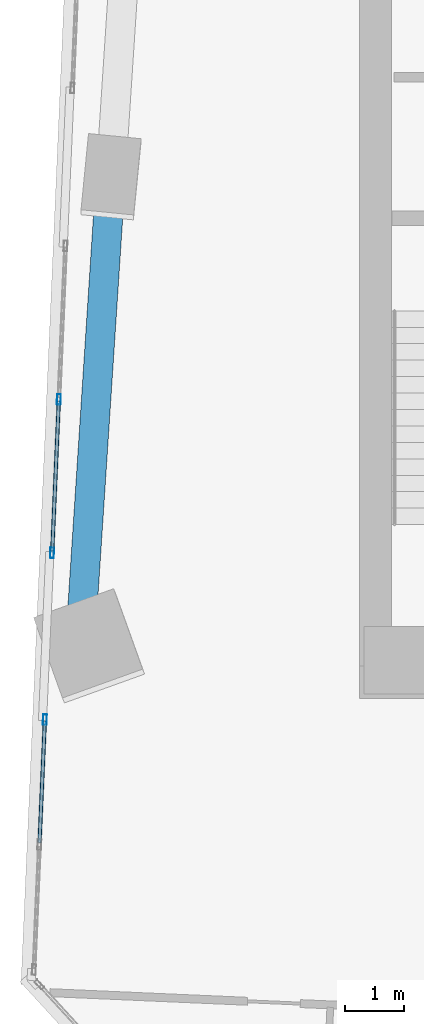
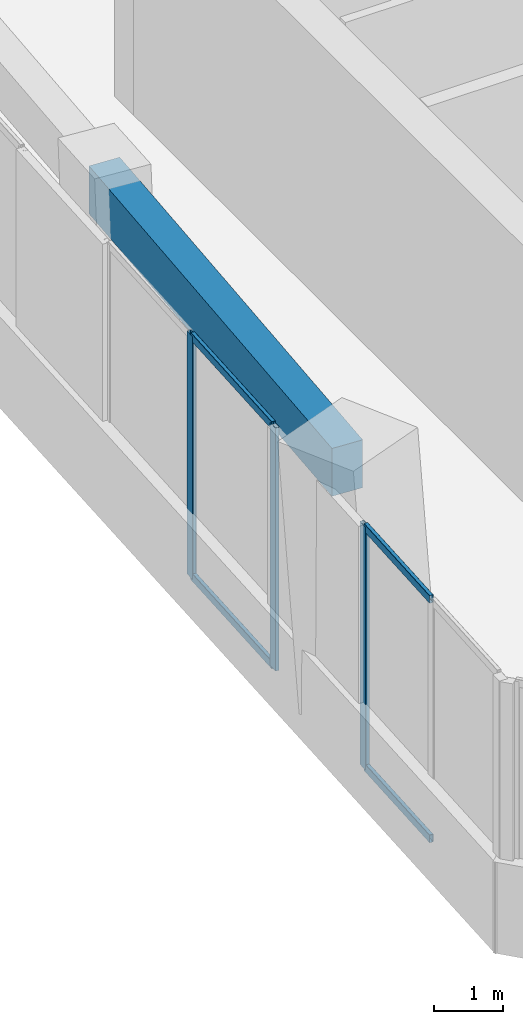
# One storey, part 4 of 27: 7 members, 1 beam, 2 elements without a shape of their own.
"""IFC4 building model written with IfcOpenShell, lengths in metres."""

from ifc_helpers import new_model, si_unit, direction, frame, origin, origin_2d, place, context, subcontext, project, spatial, rectangle, hollow_rectangle, extrude, source, transform, mapped, material, material_profile, profile_set, type_object, element, aggregate, save


model = new_model("IFC4")

# Units and contexts
model_context = context("Model", 3, precision=1e-05, world=origin(), true_north=direction((0.0, 1.0)))
body_context = subcontext(model_context, "Body", "Model", "MODEL_VIEW")
ifc_project = project(units=[si_unit("LENGTHUNIT", "METRE"), si_unit("AREAUNIT", "SQUARE_METRE"), si_unit("VOLUMEUNIT", "CUBIC_METRE"), si_unit("PLANEANGLEUNIT", "RADIAN"), si_unit("MASSUNIT", "GRAM", prefix="KILO")], contexts=[model_context])

# Site, building, storey
site_placement = place(None, origin())
site = spatial("IfcSite", under=ifc_project, at=site_placement, CompositionType="ELEMENT")
building_placement = place(site_placement, origin())
building = spatial("IfcBuilding", under=site, at=building_placement, Name="Torre Montelarca", CompositionType="ELEMENT")
storey_placement = place(building_placement, frame((0.0, 0.0, 37.60009765625)))
storey = spatial("IfcBuildingStorey", under=building, at=storey_placement, Name="L08", CompositionType="ELEMENT", Elevation=37.60009765625)

# Beam
ifc_material_1 = material(Name="Concrete C55/67", Category="concrete")
ifc_material_profile_1 = material_profile(ifc_material_1, rectangle(XDim=0.5, YDim=0.85009765625, at=origin_2d()), Name="RCB500X850", Category="concrete")
ifc_profile_set_1 = profile_set([ifc_material_profile_1], Name="Concrete C55/67")
beam_type = type_object("IfcBeamType", Name="BM-SP-RC850-EXT", PredefinedType="SPANDREL", material=ifc_profile_set_1)
shared_shape_1 = source(origin(), body_context, "Body", "SweptSolid", [
    extrude(rectangle(XDim=0.5, YDim=0.85009765625, at=origin_2d()), origin(), (0.0, 0.0, 1.0), 8.0),
])
beam_placement = place(storey_placement, frame((4.162841796875, 25.119140625, 4.135009765625), z_axis=(0.065398870593, 0.997859202355, 0.0), x_axis=(-0.997859202355, 0.065398870593, 0.0)))
element("IfcBeam", 1, at=beam_placement, inside=storey, type_object=beam_type, Name="L08 Grid Girder Y 24.0-32.0 at X=4.7", PredefinedType="SPANDREL", context=body_context, shape_type="MappedRepresentation", body=[
    mapped(shared_shape_1, transform((0.0, 0.0, 0.0), scale=1.0)),
])

# Curtain wall, members
ifc_material_2 = material(Name="Insulated low-E laminated glass", Category="glass")
curtain_wall_type = type_object("IfcCurtainWallType", Name="CW-SYS-Z1", PredefinedType="USERDEFINED", material=ifc_material_2)
curtain_wall_1_placement = place(storey_placement, origin())
curtain_wall_1 = element("IfcCurtainWall", 2, at=curtain_wall_1_placement, inside=storey, type_object=curtain_wall_type, Name="L08 Curtain Wall Run CW-T3-L08-E10-B3", ObjectType="UNITISED GLAZING", PredefinedType="USERDEFINED")
ifc_material_3 = material(Name="Anodised aluminium AA 6063-T6", Category="aluminium")
ifc_material_profile_2 = material_profile(ifc_material_3, hollow_rectangle(XDim=0.06494140625, YDim=0.139892578125, WallThickness=0.00390625, InnerFilletRadius=0.00390625, OuterFilletRadius=0.008056640625, at=origin_2d()), Name="ALU65X140X4", Category="aluminium")
ifc_profile_set_2 = profile_set([ifc_material_profile_2], Name="Anodised aluminium AA 6063-T6")
member_type_1 = type_object("IfcMemberType", Name="CWT-ALU140", PredefinedType="USERDEFINED", material=ifc_profile_set_2)
shared_shape_2 = source(origin(), body_context, "Body", "SweptSolid", [
    extrude(hollow_rectangle(XDim=0.06494140625, YDim=0.139892578125, WallThickness=0.00390625, InnerFilletRadius=0.00390625, OuterFilletRadius=0.008056640625, at=origin_2d()), origin(), (0.0, 0.0, 1.0), 2.067138671875),
])
member_1_placement = place(storey_placement, frame((3.54248046875, 23.50537109375, 0.032470703125), z_axis=(-0.043698612245, -0.999044759402, 0.0), x_axis=(0.999044759402, -0.043698612245, 0.0)))
member_1 = element("IfcMember", 3, at=member_1_placement, type_object=member_type_1, Name="CW transom 1.1", ObjectType="TRANSOM", PredefinedType="USERDEFINED", context=body_context, shape_type="MappedRepresentation", body=[
    mapped(shared_shape_2, transform((0.0, 0.0, 0.0), scale=1.0)),
])
member_2_placement = place(storey_placement, frame((3.54248046875, 23.50537109375, 4.287353515625), z_axis=(-0.043698612245, -0.999044759402, 0.0), x_axis=(0.999044759402, -0.043698612245, 0.0)))
member_2 = element("IfcMember", 4, at=member_2_placement, type_object=member_type_1, Name="CW transom 1.2", ObjectType="TRANSOM", PredefinedType="USERDEFINED", context=body_context, shape_type="MappedRepresentation", body=[
    mapped(shared_shape_2, transform((0.0, 0.0, 0.0), scale=1.0)),
])

curtain_wall_2_placement = place(storey_placement, origin())
curtain_wall_2 = element("IfcCurtainWall", 5, at=curtain_wall_2_placement, inside=storey, type_object=curtain_wall_type, Name="L08 Curtain Wall Run CW-T3-L08-E10-B2", ObjectType="UNITISED GLAZING", PredefinedType="USERDEFINED")
ifc_material_profile_3 = material_profile(ifc_material_3, hollow_rectangle(XDim=0.06494140625, YDim=0.179931640625, WallThickness=0.00390625, InnerFilletRadius=0.00390625, OuterFilletRadius=0.008056640625, at=origin_2d()), Name="ALU65X180X4", Category="aluminium")
ifc_profile_set_3 = profile_set([ifc_material_profile_3], Name="Anodised aluminium AA 6063-T6")
member_type_2 = type_object("IfcMemberType", Name="CWM-ALU180", PredefinedType="MULLION", material=ifc_profile_set_3)
shared_shape_3 = source(origin(), body_context, "Body", "SweptSolid", [
    extrude(hollow_rectangle(XDim=0.06494140625, YDim=0.179931640625, WallThickness=0.00390625, InnerFilletRadius=0.00390625, OuterFilletRadius=0.008056640625, at=origin_2d()), origin(), (0.0, 0.0, 1.0), 4.31982421875),
])
member_3_placement = place(storey_placement, frame((3.781982421875, 28.9921875, 0.0), z_axis=(0.0, 0.0, 1.0), x_axis=(0.999048124627, -0.043621607944, 0.0)))
member_3 = element("IfcMember", 6, at=member_3_placement, type_object=member_type_2, Name="CW mullion 2", PredefinedType="MULLION", context=body_context, shape_type="MappedRepresentation", body=[
    mapped(shared_shape_3, transform((0.0, 0.0, 0.0), scale=1.0)),
])
member_4_placement = place(storey_placement, frame((3.667724609375, 26.37939453125, 0.0), z_axis=(0.0, 0.0, 1.0), x_axis=(0.999048124627, -0.043621607944, 0.0)))
member_4 = element("IfcMember", 7, at=member_4_placement, type_object=member_type_2, Name="CW mullion 3", PredefinedType="MULLION", context=body_context, shape_type="MappedRepresentation", body=[
    mapped(shared_shape_3, transform((0.0, 0.0, 0.0), scale=1.0)),
])

# Member
member_5_placement = place(storey_placement, frame((3.543701171875, 23.537841796875, 0.0), z_axis=(0.0, 0.0, 1.0), x_axis=(0.999048603489, -0.043610639363, 0.0)))
member_5 = element("IfcMember", 8, at=member_5_placement, type_object=member_type_2, Name="CW mullion 1", PredefinedType="MULLION", context=body_context, shape_type="MappedRepresentation", body=[
    mapped(shared_shape_3, transform((0.0, 0.0, 0.0), scale=1.0)),
])

aggregate(curtain_wall_1, [member_5, member_1, member_2])

shared_shape_4 = source(origin(), body_context, "Body", "SweptSolid", [
    extrude(hollow_rectangle(XDim=0.06494140625, YDim=0.139892578125, WallThickness=0.00390625, InnerFilletRadius=0.00390625, OuterFilletRadius=0.008056640625, at=origin_2d()), origin(), (0.0, 0.0, 1.0), 2.55029296875),
])
member_6_placement = place(storey_placement, frame((3.780517578125, 28.959716796875, 0.032470703125), z_axis=(-0.04365324977, -0.999046742542, 0.0), x_axis=(0.999046742542, -0.04365324977, 0.0)))
member_6 = element("IfcMember", 9, at=member_6_placement, type_object=member_type_1, Name="CW transom 2.1", ObjectType="TRANSOM", PredefinedType="USERDEFINED", context=body_context, shape_type="MappedRepresentation", body=[
    mapped(shared_shape_4, transform((0.0, 0.0, 0.0), scale=1.0)),
])

member_7_placement = place(storey_placement, frame((3.780517578125, 28.959716796875, 4.287353515625), z_axis=(-0.04365324977, -0.999046742542, 0.0), x_axis=(0.999046742542, -0.04365324977, 0.0)))
member_7 = element("IfcMember", 10, at=member_7_placement, type_object=member_type_1, Name="CW transom 2.2", ObjectType="TRANSOM", PredefinedType="USERDEFINED", context=body_context, shape_type="MappedRepresentation", body=[
    mapped(shared_shape_4, transform((0.0, 0.0, 0.0), scale=1.0)),
])

aggregate(curtain_wall_2, [member_3, member_4, member_6, member_7])

save(model, "model.ifc")
